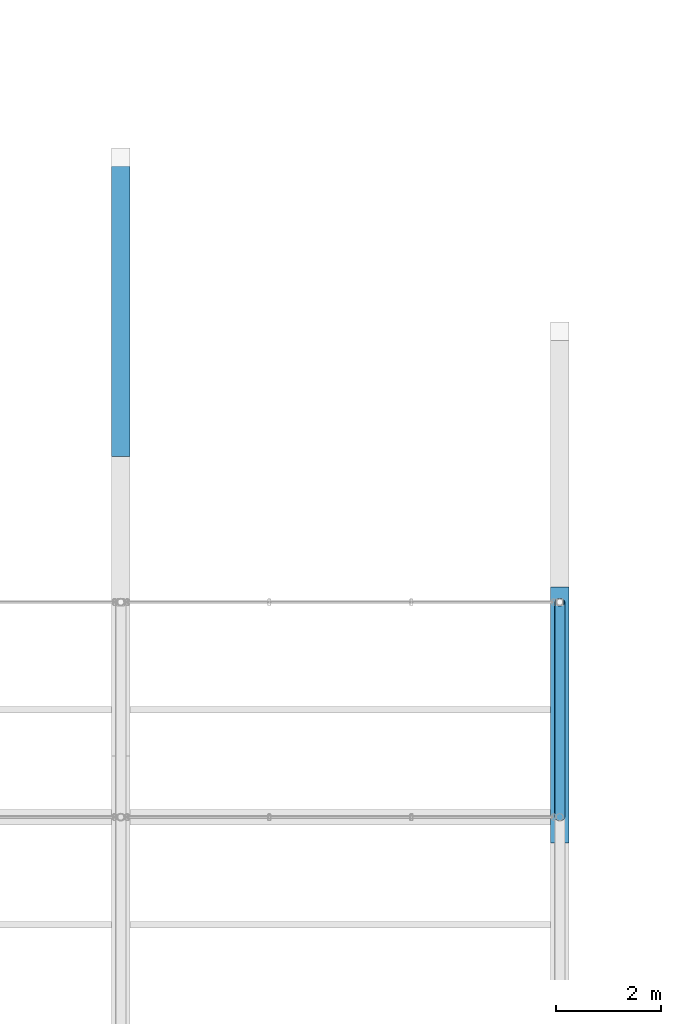
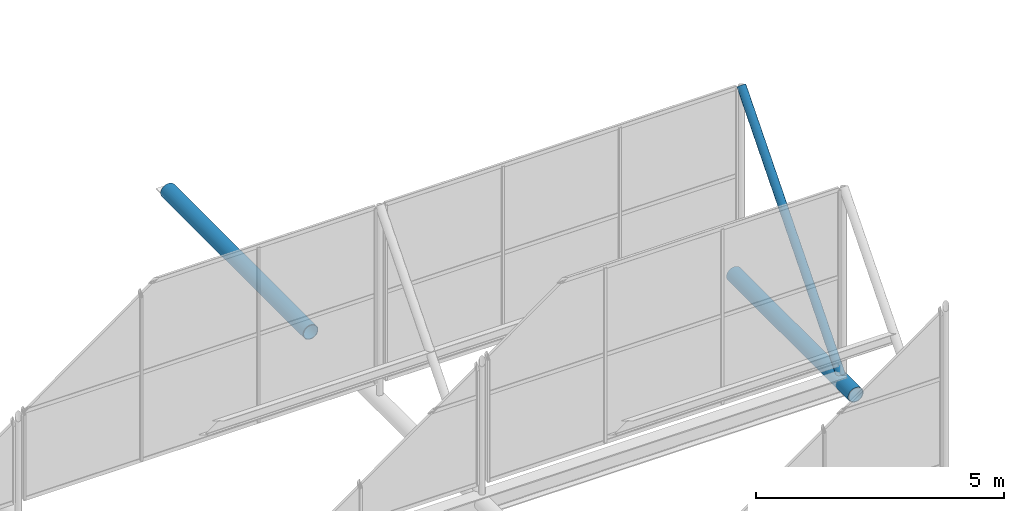
# One storey, part 47 of 77: 3 members.
"""IFC4 building model written with IfcOpenShell, lengths in metres."""

from ifc_helpers import new_model, si_unit, derived_unit, direction, frame, origin, origin_2d, place, context, subcontext, project, spatial, hollow_circle, extrude, material, material_profile, profile_set, type_object, element, save


model = new_model("IFC4")

# Units and contexts
model_context = context("Model", 3, precision=1e-05, world=origin(), true_north=direction((0.0, 1.0)))
body_context = subcontext(model_context, "Body", "Model", "MODEL_VIEW")
ifc_project = project(units=[si_unit("LENGTHUNIT", "METRE"), si_unit("AREAUNIT", "SQUARE_METRE"), si_unit("VOLUMEUNIT", "CUBIC_METRE"), si_unit("PLANEANGLEUNIT", "RADIAN"), si_unit("MASSUNIT", "GRAM", prefix="KILO"), derived_unit("THERMALTRANSMITTANCEUNIT", [(si_unit("MASSUNIT", "GRAM", prefix="KILO"), 1), (si_unit("TIMEUNIT", "SECOND"), -3), (si_unit("THERMODYNAMICTEMPERATUREUNIT", "KELVIN"), -1)])], contexts=[model_context])

# Site, building, storey
site_placement = place(None, origin())
site = spatial("IfcSite", under=ifc_project, at=site_placement, CompositionType="ELEMENT")
building_placement = place(site_placement, origin())
building = spatial("IfcBuilding", under=site, at=building_placement, Name="Kharveza Railside Sports Centre", CompositionType="ELEMENT")
storey_placement = place(building_placement, frame((0.0, 0.0, 17.10009765625)))
storey = spatial("IfcBuildingStorey", under=building, at=storey_placement, Name="L04", CompositionType="ELEMENT", Elevation=17.10009765625)

# Members
ifc_material = material(Name="Steel S355J2", Category="steel")
ifc_material_profile_1 = material_profile(ifc_material, hollow_circle(Radius=0.177734375, WallThickness=0.01611328125, at=origin_2d()), Name="CHS 355.6x16.0")
ifc_profile_set_1 = profile_set([ifc_material_profile_1], Name="Steel S355J2")
member_type_1 = type_object("IfcMemberType", Name="MB-CH01", PredefinedType="CHORD", material=ifc_profile_set_1)
member_1_placement = place(storey_placement, frame((67.199951171875, 67.58642578125, -1.050048828125), z_axis=(0.0, 1.0, 0.0), x_axis=(-1.0, 0.0, 0.0)))
element("IfcMember", 1, at=member_1_placement, inside=storey, type_object=member_type_1, Name="MB-V1TR-TC-5-8", PredefinedType="CHORD", context=body_context, shape_type="SweptSolid", body=[
    extrude(hollow_circle(Radius=0.177734375, WallThickness=0.01611328125, at=origin_2d()), origin(), (0.0, 0.0, 1.0), 5.72900390625),
])
member_2_placement = place(storey_placement, frame((75.60009765625, 60.193359375, -1.050048828125), z_axis=(0.0, 1.0, 0.0), x_axis=(-1.0, 0.0, 0.0)))
element("IfcMember", 2, at=member_2_placement, inside=storey, type_object=member_type_1, Name="MB-V1TR-TC-6-7", PredefinedType="CHORD", context=body_context, shape_type="SweptSolid", body=[
    extrude(hollow_circle(Radius=0.177734375, WallThickness=0.01611328125, at=origin_2d()), origin(), (0.0, 0.0, 1.0), 4.896484375),
])
ifc_material_profile_2 = material_profile(ifc_material, hollow_circle(Radius=0.096923828125, WallThickness=0.010009765625, at=origin_2d()), Name="CHS 193.7x10.0")
ifc_profile_set_2 = profile_set([ifc_material_profile_2], Name="Steel S355J2")
member_type_2 = type_object("IfcMemberType", Name="MB-ST02", PredefinedType="STRUT", material=ifc_profile_set_2)
member_3_placement = place(storey_placement, frame((75.60009765625, 60.685791015625, -1.050048828125), z_axis=(0.0, 0.650003261435, 0.759931418039), x_axis=(-1.0, 0.0, 0.0)))
element("IfcMember", 3, at=member_3_placement, inside=storey, type_object=member_type_2, Name="MB-V1SAW-RFT-7-6", PredefinedType="STRUT", context=body_context, shape_type="SweptSolid", body=[
    extrude(hollow_circle(Radius=0.096923828125, WallThickness=0.010009765625, at=origin_2d()), origin(), (0.0, 0.0, 1.0), 6.32958984375),
])

save(model, "model.ifc")
